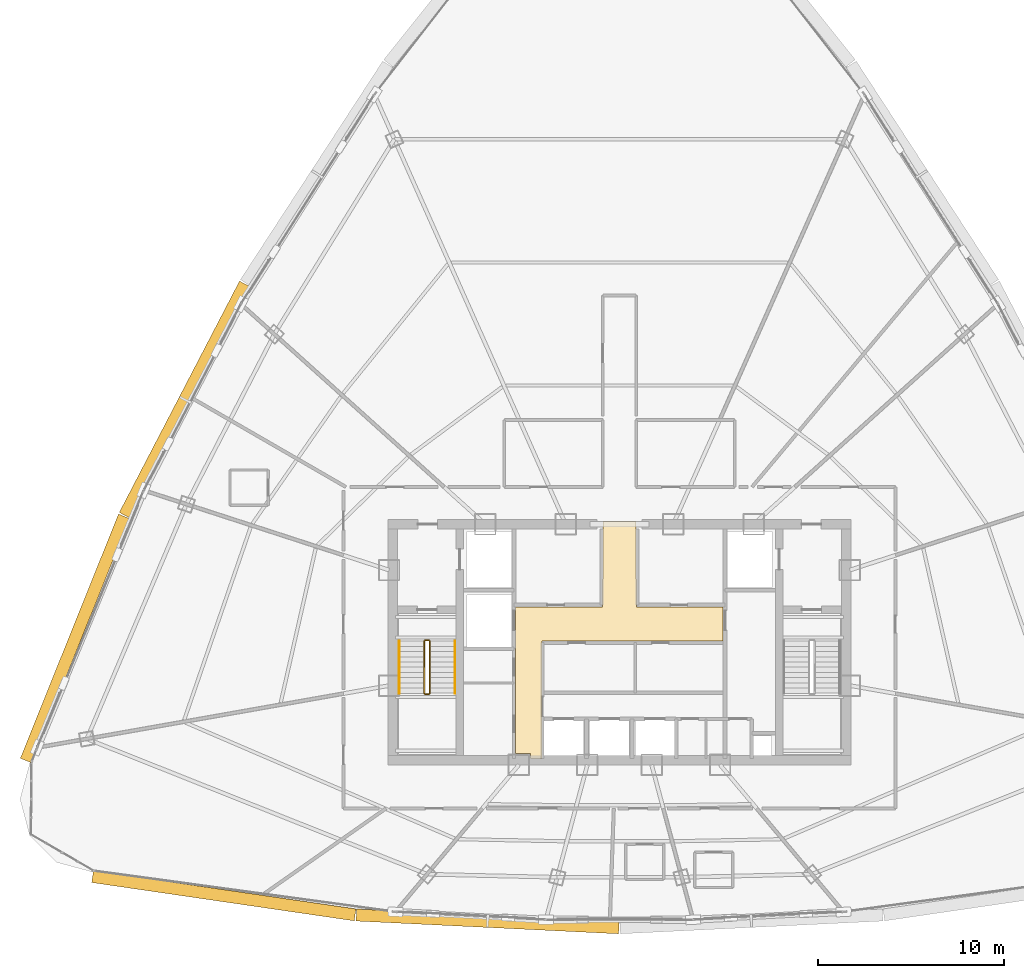
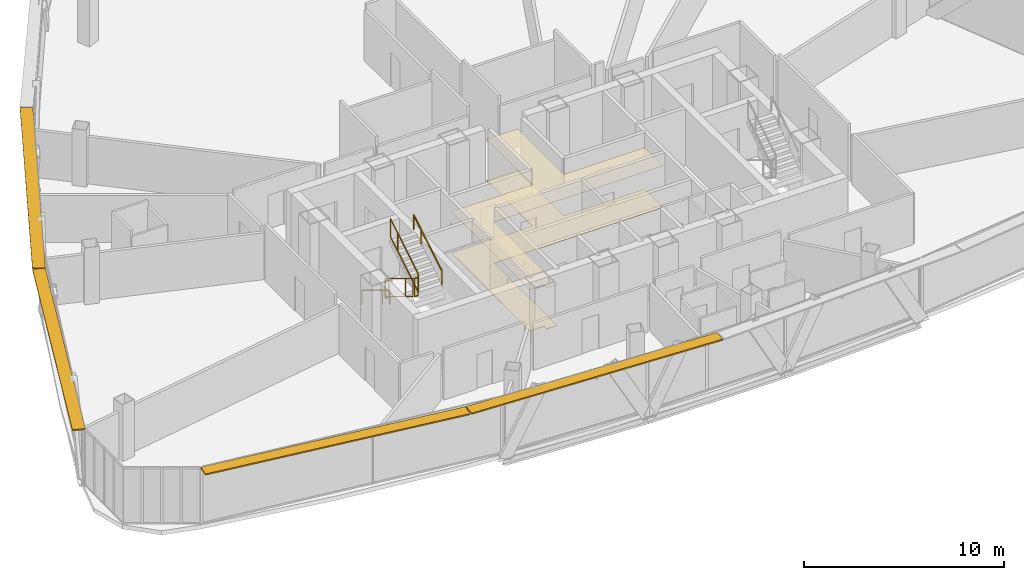
# One storey, part 38 of 40: 6 railings, 4 shading devices, 2 coverings.
"""IFC4 building model written with IfcOpenShell, lengths in metres."""

from ifc_helpers import new_model, si_unit, direction, frame, origin, origin_2d, place, context, subcontext, project, spatial, polyline, rectangle, outline, extrude, source, transform, mapped, material, layer, layer_set, type_object, element, save


model = new_model("IFC4")

# Units and contexts
model_context = context("Model", 3, precision=1e-05, world=origin(), true_north=direction((0.0, 1.0)))
body_context = subcontext(model_context, "Body", "Model", "MODEL_VIEW")
ifc_project = project(units=[si_unit("LENGTHUNIT", "METRE"), si_unit("AREAUNIT", "SQUARE_METRE"), si_unit("VOLUMEUNIT", "CUBIC_METRE"), si_unit("PLANEANGLEUNIT", "RADIAN"), si_unit("MASSUNIT", "GRAM", prefix="KILO"), si_unit("THERMODYNAMICTEMPERATUREUNIT", "KELVIN"), si_unit("POWERUNIT", "WATT")], contexts=[model_context])

# Site, building, storey
site_placement = place(None, origin())
site = spatial("IfcSite", under=ifc_project, at=site_placement, CompositionType="ELEMENT")
building_placement = place(site_placement, origin())
building = spatial("IfcBuilding", under=site, at=building_placement, Name="Yunzhuo Pagoda Commons", CompositionType="ELEMENT")
storey_placement = place(building_placement, frame((0.0, 0.0, 288.75)))
storey = spatial("IfcBuildingStorey", under=building, at=storey_placement, Name="L72", CompositionType="ELEMENT", Elevation=288.75)

# Coverings
ifc_material_1 = material(Name="Micro-perforated metal baffle ceiling")
ifc_layer_1 = layer(ifc_material_1, 0.034912109375)
ifc_layer_set_1 = layer_set([ifc_layer_1], Name="Micro-perforated metal baffle ceiling")
covering_type_1 = type_object("IfcCoveringType", Name="COV-CL3 Ceiling 35", PredefinedType="CEILING", material=ifc_layer_set_1)
covering_1_placement = place(storey_placement, frame((0.0, 0.0, 2.52001953125)))
element("IfcCovering", 1, at=covering_1_placement, inside=storey, type_object=covering_type_1, Name="L72 lift lobby acoustic ceiling", PredefinedType="CEILING", context=body_context, shape_type="SweptSolid", body=[
    extrude(outline(polyline([(42.39990234375, 35.75), (47.080078125, 35.75), (47.080078125, 37.25), (47.10009765625, 37.25), (47.10009765625, 40.35009765625), (48.89990234375, 40.35009765625), (48.89990234375, 37.25), (48.919921875, 37.25), (48.919921875, 35.75), (53.580078125, 35.75), (53.580078125, 33.89990234375), (43.820068359375, 33.89990234375), (43.820068359375, 27.60009765625), (43.207763671875, 27.60009765625), (43.207763671875, 27.85009765625), (43.201904296875, 27.864013671875), (43.187744140625, 27.8701171875), (42.39990234375, 27.8701171875), (42.39990234375, 33.89990234375), (42.39990234375, 35.75)])), origin(), (0.0, 0.0, 1.0), 0.034912109375),
])
ifc_material_2 = material(Name="Resilient acoustic studio flooring")
ifc_layer_2 = layer(ifc_material_2, 0.01806640625)
ifc_layer_set_2 = layer_set([ifc_layer_2], Name="Resilient acoustic studio flooring")
covering_type_2 = type_object("IfcCoveringType", Name="COV-FL3 Flooring 18", PredefinedType="FLOORING", material=ifc_layer_set_2)
covering_2_placement = place(storey_placement, origin())
element("IfcCovering", 2, at=covering_2_placement, inside=storey, type_object=covering_type_2, Name="L72 lift lobby flooring", PredefinedType="FLOORING", context=body_context, shape_type="SweptSolid", body=[
    extrude(outline(polyline([(42.39990234375, 35.75), (47.080078125, 35.75), (47.080078125, 37.25), (47.10009765625, 37.25), (47.10009765625, 40.35009765625), (48.89990234375, 40.35009765625), (48.89990234375, 37.25), (48.919921875, 37.25), (48.919921875, 35.75), (53.580078125, 35.75), (53.580078125, 33.89990234375), (43.820068359375, 33.89990234375), (43.820068359375, 27.60009765625), (43.207763671875, 27.60009765625), (43.207763671875, 27.85009765625), (43.201904296875, 27.864013671875), (43.187744140625, 27.8701171875), (42.39990234375, 27.8701171875), (42.39990234375, 33.89990234375), (42.39990234375, 35.75)])), origin(), (0.0, 0.0, 1.0), 0.01806640625),
])

# Railings
ifc_material_3 = material(Name="Anodized aluminium 6063-T6", Category="aluminium")
railing_type_1 = type_object("IfcRailingType", Name="GR-ST1 Stair Well Guardrail 1150", PredefinedType="GUARDRAIL", material=ifc_material_3)
railing_1_placement = place(storey_placement, frame((37.5, 33.89990234375, 0.16943359375)))
element("IfcRailing", 3, at=railing_1_placement, inside=storey, type_object=railing_type_1, Name="L72 ST1 stair guard 1", PredefinedType="GUARDRAIL", context=body_context, shape_type="SweptSolid", body=[
    extrude(rectangle(XDim=0.048095703125, YDim=0.048095703125, at=origin_2d()), frame((0.0, 0.0, 1.1259765625), z_axis=(0.0, -0.855373106579, 0.518012401918), x_axis=(1.0, 0.0, 0.0)), (0.0, 0.0, 1.0), 3.273193359375),
    extrude(rectangle(XDim=0.048095703125, YDim=0.048095703125, at=origin_2d()), frame((0.0, 0.0, 0.02392578125), z_axis=(0.0, -0.855373106579, 0.518012401918), x_axis=(1.0, 0.0, 0.0)), (0.0, 0.0, 1.0), 3.273193359375),
    extrude(rectangle(XDim=0.0419921875, YDim=0.0419921875, at=origin_2d()), origin(), (0.0, 0.0, 1.0), 1.101806640625),
    extrude(rectangle(XDim=0.0419921875, YDim=0.0419921875, at=origin_2d()), frame((0.0, -2.052978515625, 1.2431640625)), (0.0, 0.0, 1.0), 1.101806640625),
    extrude(rectangle(XDim=0.0419921875, YDim=0.0419921875, at=origin_2d()), frame((0.0, -2.7998046875, 1.695556640625)), (0.0, 0.0, 1.0), 1.101806640625),
])
railing_2_placement = place(storey_placement, frame((37.550048828125, 31.050048828125, 1.864990234375)))
element("IfcRailing", 4, at=railing_2_placement, inside=storey, type_object=railing_type_1, Name="L72 ST1 stair guard 2", PredefinedType="GUARDRAIL", context=body_context, shape_type="SweptSolid", body=[
    extrude(rectangle(XDim=0.048095703125, YDim=0.048095703125, at=origin_2d()), frame((0.0, 0.0, 1.1259765625), z_axis=(1.0, 0.0, 0.0), x_axis=(0.0, 1.0, 0.0)), (0.0, 0.0, 1.0), 0.199951171875),
    extrude(rectangle(XDim=0.048095703125, YDim=0.048095703125, at=origin_2d()), frame((0.0, 0.0, 0.02392578125), z_axis=(1.0, 0.0, 0.0), x_axis=(0.0, 1.0, 0.0)), (0.0, 0.0, 1.0), 0.199951171875),
    extrude(rectangle(XDim=0.0419921875, YDim=0.0419921875, at=origin_2d()), origin(), (0.0, 0.0, 1.0), 1.101806640625),
    extrude(rectangle(XDim=0.0419921875, YDim=0.0419921875, at=origin_2d()), frame((0.199951171875, 0.0, 0.0)), (0.0, 0.0, 1.0), 1.101806640625),
])
railing_3_placement = place(storey_placement, frame((37.800048828125, 31.10009765625, 2.034423828125)))
element("IfcRailing", 5, at=railing_3_placement, inside=storey, type_object=railing_type_1, Name="L72 ST1 stair guard 3", PredefinedType="GUARDRAIL", context=body_context, shape_type="SweptSolid", body=[
    extrude(rectangle(XDim=0.048095703125, YDim=0.048095703125, at=origin_2d()), frame((0.0, 0.0, 1.1259765625), z_axis=(0.0, 0.855373106579, 0.518012401918), x_axis=(-1.0, 0.0, 0.0)), (0.0, 0.0, 1.0), 3.273193359375),
    extrude(rectangle(XDim=0.048095703125, YDim=0.048095703125, at=origin_2d()), frame((0.0, 0.0, 0.02392578125), z_axis=(0.0, 0.855373106579, 0.518012401918), x_axis=(-1.0, 0.0, 0.0)), (0.0, 0.0, 1.0), 3.273193359375),
    extrude(rectangle(XDim=0.0419921875, YDim=0.0419921875, at=origin_2d()), origin(), (0.0, 0.0, 1.0), 1.101806640625),
    extrude(rectangle(XDim=0.0419921875, YDim=0.0419921875, at=origin_2d()), frame((0.0, 2.052978515625, 1.2431640625)), (0.0, 0.0, 1.0), 1.101806640625),
    extrude(rectangle(XDim=0.0419921875, YDim=0.0419921875, at=origin_2d()), frame((0.0, 2.7998046875, 1.695556640625)), (0.0, 0.0, 1.0), 1.101806640625),
])
railing_4_placement = place(storey_placement, frame((37.550048828125, 33.949951171875, 0.0)))
element("IfcRailing", 6, at=railing_4_placement, inside=storey, type_object=railing_type_1, Name="L72 ST1 stair guard 4", PredefinedType="GUARDRAIL", context=body_context, shape_type="SweptSolid", body=[
    extrude(rectangle(XDim=0.048095703125, YDim=0.048095703125, at=origin_2d()), frame((0.0, 0.0, 1.1259765625), z_axis=(1.0, 0.0, 0.0), x_axis=(0.0, 1.0, 0.0)), (0.0, 0.0, 1.0), 0.199951171875),
    extrude(rectangle(XDim=0.048095703125, YDim=0.048095703125, at=origin_2d()), frame((0.0, 0.0, 0.02392578125), z_axis=(1.0, 0.0, 0.0), x_axis=(0.0, 1.0, 0.0)), (0.0, 0.0, 1.0), 0.199951171875),
    extrude(rectangle(XDim=0.0419921875, YDim=0.0419921875, at=origin_2d()), origin(), (0.0, 0.0, 1.0), 1.101806640625),
    extrude(rectangle(XDim=0.0419921875, YDim=0.0419921875, at=origin_2d()), frame((0.199951171875, 0.0, 0.0)), (0.0, 0.0, 1.0), 1.101806640625),
])
railing_type_2 = type_object("IfcRailingType", Name="HR-ST1 Stair Handrail 900", PredefinedType="HANDRAIL", material=ifc_material_3)
railing_5_placement = place(storey_placement, frame((36.14990234375, 33.89990234375, 0.16943359375)))
element("IfcRailing", 7, at=railing_5_placement, inside=storey, type_object=railing_type_2, Name="L72 ST1 stair handrail 1", PredefinedType="HANDRAIL", context=body_context, shape_type="SweptSolid", body=[
    extrude(rectangle(XDim=0.048095703125, YDim=0.048095703125, at=origin_2d()), frame((0.0, 0.0, 0.8759765625), z_axis=(0.0, -0.855373106579, 0.518012401918), x_axis=(1.0, 0.0, 0.0)), (0.0, 0.0, 1.0), 3.273193359375),
    extrude(rectangle(XDim=0.0419921875, YDim=0.0419921875, at=origin_2d()), origin(), (0.0, 0.0, 1.0), 0.851806640625),
    extrude(rectangle(XDim=0.0419921875, YDim=0.0419921875, at=origin_2d()), frame((0.0, -2.052978515625, 1.2431640625)), (0.0, 0.0, 1.0), 0.851806640625),
    extrude(rectangle(XDim=0.0419921875, YDim=0.0419921875, at=origin_2d()), frame((0.0, -2.7998046875, 1.695556640625)), (0.0, 0.0, 1.0), 0.851806640625),
])
railing_6_placement = place(storey_placement, frame((39.14990234375, 31.10009765625, 2.034423828125)))
element("IfcRailing", 8, at=railing_6_placement, inside=storey, type_object=railing_type_2, Name="L72 ST1 stair handrail 2", PredefinedType="HANDRAIL", context=body_context, shape_type="SweptSolid", body=[
    extrude(rectangle(XDim=0.048095703125, YDim=0.048095703125, at=origin_2d()), frame((0.0, 0.0, 0.8759765625), z_axis=(0.0, 0.855373106579, 0.518012401918), x_axis=(-1.0, 0.0, 0.0)), (0.0, 0.0, 1.0), 3.273193359375),
    extrude(rectangle(XDim=0.0419921875, YDim=0.0419921875, at=origin_2d()), origin(), (0.0, 0.0, 1.0), 0.851806640625),
    extrude(rectangle(XDim=0.0419921875, YDim=0.0419921875, at=origin_2d()), frame((0.0, 2.052978515625, 1.2431640625)), (0.0, 0.0, 1.0), 0.851806640625),
    extrude(rectangle(XDim=0.0419921875, YDim=0.0419921875, at=origin_2d()), frame((0.0, 2.7998046875, 1.695556640625)), (0.0, 0.0, 1.0), 0.851806640625),
])

# Shading devices
ifc_layer_3 = layer(ifc_material_3, 0.080078125)
ifc_layer_set_3 = layer_set([ifc_layer_3], Name="Anodized aluminium 6063-T6")
shading_device_type = type_object("IfcShadingDeviceType", Name="SH-SUN1 Pagoda Horizontal Sunshade Eave 650", PredefinedType="USERDEFINED", material=ifc_layer_set_3)
shared_shape_1 = source(origin(), body_context, "Body", "SweptSolid", [
    extrude(rectangle(XDim=14.2802734375, YDim=0.64990234375, at=origin_2d()), origin(), (0.0, 0.0, 1.0), 0.080078125),
])
shading_device_1_placement = place(storey_placement, frame((26.710205078125, 20.203369140625, 3.389892578125), z_axis=(0.0, 0.0, 1.0), x_axis=(0.989510666697, -0.144459823108, 0.0)))
element("IfcShadingDevice", 9, at=shading_device_1_placement, inside=storey, type_object=shading_device_type, Name="L72 horizontal pagoda sunshade eave F1.1", ObjectType="SUNSHADE", PredefinedType="USERDEFINED", context=body_context, shape_type="MappedRepresentation", body=[
    mapped(shared_shape_1, transform((0.0, 0.0, 0.0), scale=1.0)),
])
shared_shape_2 = source(origin(), body_context, "Body", "SweptSolid", [
    extrude(rectangle(XDim=14.146728515625, YDim=0.64990234375, at=origin_2d()), origin(), (0.0, 0.0, 1.0), 0.080078125),
])
shading_device_2_placement = place(storey_placement, frame((40.9033203125, 18.822021484375, 3.389892578125), z_axis=(0.0, 0.0, 1.0), x_axis=(0.998818043775, -0.04860571396, 0.0)))
element("IfcShadingDevice", 10, at=shading_device_2_placement, inside=storey, type_object=shading_device_type, Name="L72 horizontal pagoda sunshade eave F1.2", ObjectType="SUNSHADE", PredefinedType="USERDEFINED", context=body_context, shape_type="MappedRepresentation", body=[
    mapped(shared_shape_2, transform((0.0, 0.0, 0.0), scale=1.0)),
])
shared_shape_3 = source(origin(), body_context, "Body", "SweptSolid", [
    extrude(rectangle(XDim=14.165283203125, YDim=0.64990234375, at=origin_2d()), origin(), (0.0, 0.0, 1.0), 0.080078125),
])
shading_device_3_placement = place(storey_placement, frame((18.701416015625, 34.05029296875, 3.389892578125), z_axis=(0.0, 0.0, 1.0), x_axis=(-0.372987782576, -0.927836253899, 0.0)))
element("IfcShadingDevice", 11, at=shading_device_3_placement, inside=storey, type_object=shading_device_type, Name="L72 horizontal pagoda sunshade eave F3.4", ObjectType="SUNSHADE", PredefinedType="USERDEFINED", context=body_context, shape_type="MappedRepresentation", body=[
    mapped(shared_shape_3, transform((0.0, 0.0, 0.0), scale=1.0)),
])
shared_shape_4 = source(origin(), body_context, "Body", "SweptSolid", [
    extrude(rectangle(XDim=14.031005859375, YDim=0.64990234375, at=origin_2d()), origin(), (0.0, 0.0, 1.0), 0.080078125),
])
shading_device_4_placement = place(storey_placement, frame((24.605224609375, 46.904052734375, 3.389892578125), z_axis=(0.0, 0.0, 1.0), x_axis=(-0.461206683033, -0.88729273384, 0.0)))
element("IfcShadingDevice", 12, at=shading_device_4_placement, inside=storey, type_object=shading_device_type, Name="L72 horizontal pagoda sunshade eave F3.3", ObjectType="SUNSHADE", PredefinedType="USERDEFINED", context=body_context, shape_type="MappedRepresentation", body=[
    mapped(shared_shape_4, transform((0.0, 0.0, 0.0), scale=1.0)),
])

save(model, "model.ifc")
